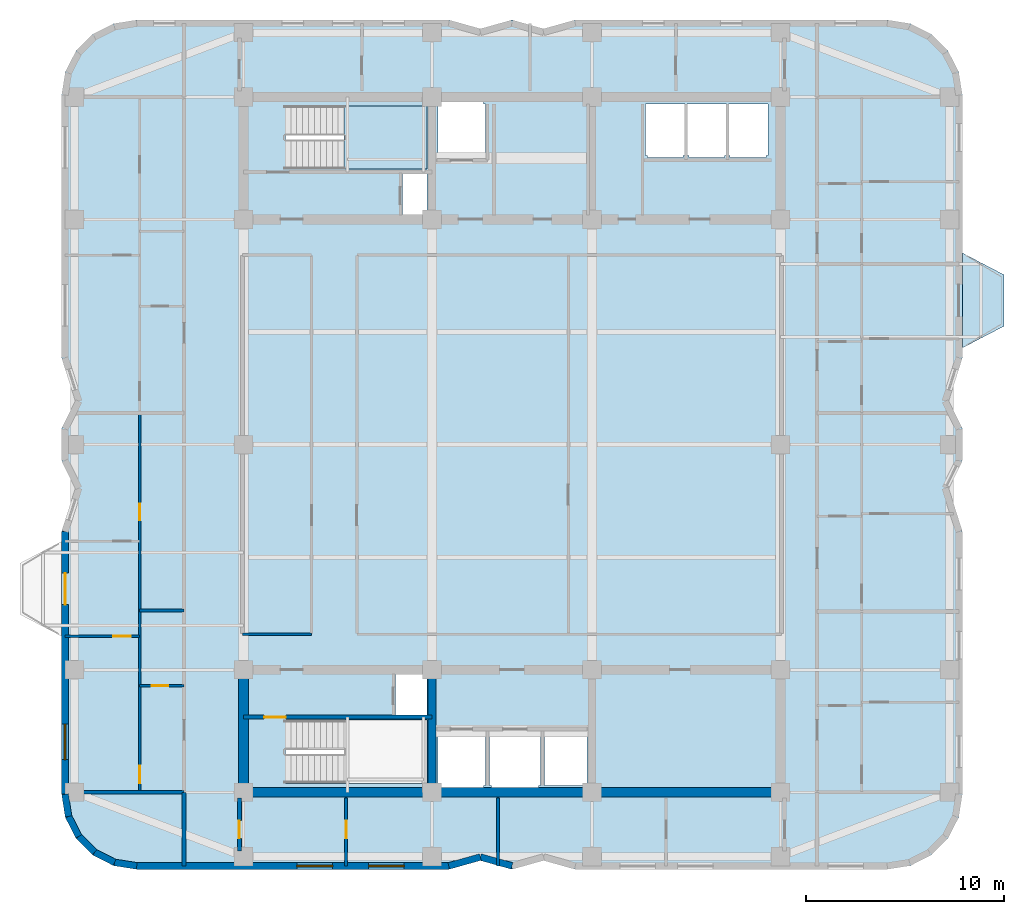
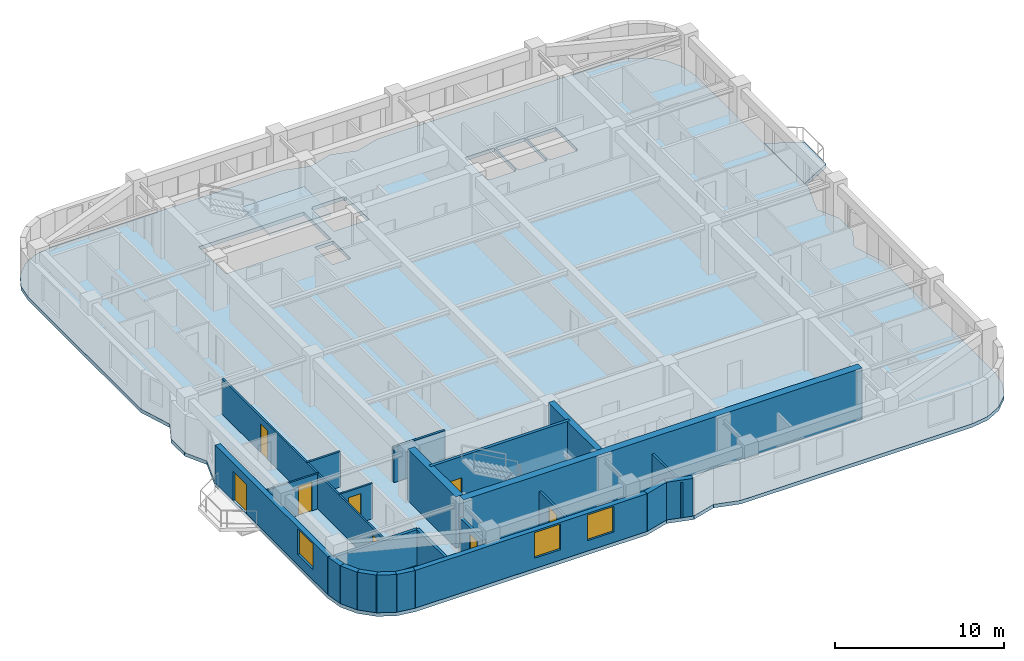
# One storey, part 2 of 9: 23 walls, 8 doors, 3 slabs, 3 windows, 11 openings, 1 element without a shape of its own.
"""IFC4 building model written with IfcOpenShell, lengths in metres."""

from ifc_helpers import new_model, si_unit, direction, frame, frame_2d, origin, place, context, subcontext, project, spatial, polyline, rectangle, outline, extrude, material, layer, layer_set, type_object, element, fill, aggregate, save


model = new_model("IFC4")

# Units and contexts
model_context = context("Model", 3, precision=1e-05, world=origin(), true_north=direction((0.0, 1.0)))
body_context = subcontext(model_context, "Body", "Model", "MODEL_VIEW")
ifc_project = project(units=[si_unit("LENGTHUNIT", "METRE"), si_unit("AREAUNIT", "SQUARE_METRE"), si_unit("VOLUMEUNIT", "CUBIC_METRE"), si_unit("PLANEANGLEUNIT", "RADIAN"), si_unit("MASSUNIT", "GRAM", prefix="KILO")], contexts=[model_context])

# Site, building, storey
site_placement = place(None, origin())
site = spatial("IfcSite", under=ifc_project, at=site_placement, CompositionType="ELEMENT")
building_placement = place(site_placement, origin())
building = spatial("IfcBuilding", under=site, at=building_placement, Name="Svetorya Sky Lyceum", CompositionType="ELEMENT")
storey_placement = place(building_placement, frame((0.0, 0.0, 181.10009765625)))
storey = spatial("IfcBuildingStorey", under=building, at=storey_placement, Name="L45", CompositionType="ELEMENT", Elevation=181.10009765625)

# Slab
ifc_material_1 = material(Name="Concrete C40/50", Category="concrete")
ifc_layer_1 = layer(ifc_material_1, 0.260009765625)
ifc_layer_set_1 = layer_set([ifc_layer_1], Name="Concrete C40/50")
slab_type_1 = type_object("IfcSlabType", Name="SL-BAL-260", PredefinedType="FLOOR", material=ifc_layer_set_1)
slab_1_placement = place(storey_placement, frame((0.0, 0.0, -0.260009765625)))
element("IfcSlab", 1, at=slab_1_placement, inside=storey, type_object=slab_type_1, Name="L45 Chamfered Loggia Balcony BAL-E1", PredefinedType="FLOOR", context=body_context, shape_type="SweptSolid", body=[
    extrude(outline(polyline([(62.010009765625, 33.10009765625), (64.110107421875, 34.199951171875), (64.110107421875, 36.800048828125), (62.010009765625, 37.89990234375), (62.010009765625, 33.10009765625)])), origin(), (0.0, 0.0, 1.0), 0.260009765625),
])

# Stair, slab
stair_type = type_object("IfcStairType", Name="STR-ST-N", PredefinedType="HALF_TURN_STAIR", material=ifc_material_1)
stair_placement = place(storey_placement, origin())
stair = element("IfcStair", 2, at=stair_placement, inside=storey, type_object=stair_type, Name="L45 North Core Smoke-Free Exit Stair N3", PredefinedType="HALF_TURN_STAIR")
ifc_layer_2 = layer(ifc_material_1, 0.199951171875)
ifc_layer_set_2 = layer_set([ifc_layer_2], Name="Concrete C40/50")
slab_type_2 = type_object("IfcSlabType", Name="SL-STR-LAND-200", PredefinedType="LANDING", material=ifc_layer_set_2)
slab_2_placement = place(storey_placement, frame((0.0, 0.0, 1.64990234375)))
slab_2 = element("IfcSlab", 3, at=slab_2_placement, type_object=slab_type_2, Name="ST-N landing 1", PredefinedType="LANDING", context=body_context, shape_type="SweptSolid", body=[
    extrude(outline(polyline([(30.699951171875, 42.14990234375), (34.89990234375, 42.14990234375), (34.89990234375, 45.35009765625), (30.699951171875, 45.35009765625), (30.699951171875, 42.14990234375)])), origin(), (0.0, 0.0, 1.0), 0.199951171875),
])
aggregate(stair, [slab_2])

# Slab
ifc_material_2 = material(Name="Concrete C50/60", Category="concrete")
ifc_layer_3 = layer(ifc_material_2, 0.260009765625)
ifc_layer_set_3 = layer_set([ifc_layer_3], Name="Concrete C50/60")
slab_type_3 = type_object("IfcSlabType", Name="SL-TWR-260", PredefinedType="FLOOR", material=ifc_layer_set_3)
slab_3_placement = place(storey_placement, frame((0.0, 0.0, -0.260009765625)))
element("IfcSlab", 4, at=slab_3_placement, inside=storey, type_object=slab_type_3, Name="L45 Structural Floor Slab", PredefinedType="FLOOR", context=body_context, shape_type="SweptSolid", body=[
    extrude(outline(polyline([(16.39990234375, 10.5), (16.5859375, 9.32568359375), (17.125732421875, 8.266357421875), (17.96630859375, 7.42578125), (19.025634765625, 6.885986328125), (20.199951171875, 6.699951171875), (36.0, 6.699951171875), (37.60009765625, 7.14990234375), (39.199951171875, 6.699951171875), (40.800048828125, 7.14990234375), (42.39990234375, 6.699951171875), (58.199951171875, 6.699951171875), (59.374267578125, 6.885986328125), (60.43359375, 7.42578125), (61.2744140625, 8.266357421875), (61.81396484375, 9.32568359375), (62.0, 10.5), (62.0, 23.800048828125), (61.300048828125, 26.0), (62.0, 27.39990234375), (62.0, 29.0), (61.300048828125, 30.39990234375), (62.0, 32.60009765625), (62.0, 45.89990234375), (61.81396484375, 47.07421875), (61.2744140625, 48.133544921875), (60.43359375, 48.974365234375), (59.374267578125, 49.513916015625), (58.199951171875, 49.699951171875), (42.39990234375, 49.699951171875), (40.800048828125, 49.25), (39.199951171875, 49.699951171875), (37.60009765625, 49.25), (36.0, 49.699951171875), (20.199951171875, 49.699951171875), (19.025634765625, 49.513916015625), (17.96630859375, 48.974365234375), (17.125732421875, 48.133544921875), (16.5859375, 47.07421875), (16.39990234375, 45.89990234375), (16.39990234375, 32.60009765625), (17.10009765625, 30.39990234375), (16.39990234375, 29.0), (16.39990234375, 27.39990234375), (17.10009765625, 26.0), (16.39990234375, 23.800048828125), (16.39990234375, 10.5)]), holes=[polyline([(37.85009765625, 10.949951171875), (37.75, 10.949951171875), (37.75, 10.85009765625), (35.550048828125, 10.85009765625), (35.550048828125, 10.949951171875), (35.449951171875, 10.949951171875), (35.449951171875, 13.64990234375), (35.550048828125, 13.64990234375), (37.75, 13.64990234375), (37.85009765625, 13.64990234375), (37.85009765625, 10.949951171875)]), polyline([(38.14990234375, 10.800048828125), (38.14990234375, 10.949951171875), (38.050048828125, 10.949951171875), (38.050048828125, 13.64990234375), (38.14990234375, 13.64990234375), (38.14990234375, 13.699951171875), (40.550048828125, 13.699951171875), (40.550048828125, 13.64990234375), (40.64990234375, 13.64990234375), (40.64990234375, 10.949951171875), (40.550048828125, 10.949951171875), (40.550048828125, 10.800048828125), (38.14990234375, 10.800048828125)]), polyline([(27.719970703125, 11.050048828125), (27.719970703125, 14.25), (34.89990234375, 14.25), (34.89990234375, 11.050048828125), (27.719970703125, 11.050048828125)]), polyline([(33.300048828125, 14.52001953125), (33.300048828125, 16.580078125), (34.89990234375, 16.580078125), (34.89990234375, 14.52001953125), (33.300048828125, 14.52001953125)]), polyline([(33.64990234375, 39.820068359375), (33.64990234375, 41.89990234375), (34.89990234375, 41.89990234375), (34.89990234375, 39.820068359375), (33.64990234375, 39.820068359375)]), polyline([(27.719970703125, 42.14990234375), (27.719970703125, 45.35009765625), (34.89990234375, 45.35009765625), (34.89990234375, 42.14990234375), (27.719970703125, 42.14990234375)]), polyline([(37.75, 42.75), (35.550048828125, 42.75), (35.449951171875, 42.75), (35.449951171875, 45.449951171875), (35.550048828125, 45.449951171875), (35.550048828125, 45.550048828125), (37.75, 45.550048828125), (37.75, 45.449951171875), (37.85009765625, 45.449951171875), (37.85009765625, 42.75), (37.75, 42.75)]), polyline([(40.85009765625, 10.949951171875), (40.85009765625, 13.64990234375), (43.0, 13.64990234375), (43.0, 10.949951171875), (40.85009765625, 10.949951171875)]), polyline([(46.050048828125, 42.75), (46.050048828125, 42.85009765625), (45.949951171875, 42.85009765625), (45.949951171875, 45.449951171875), (46.050048828125, 45.449951171875), (47.85009765625, 45.449951171875), (47.949951171875, 45.449951171875), (47.949951171875, 42.85009765625), (47.85009765625, 42.85009765625), (47.85009765625, 42.75), (46.050048828125, 42.75)]), polyline([(50.050048828125, 42.85009765625), (49.949951171875, 42.85009765625), (49.949951171875, 42.75), (48.14990234375, 42.75), (48.14990234375, 42.85009765625), (48.050048828125, 42.85009765625), (48.050048828125, 45.449951171875), (48.14990234375, 45.449951171875), (49.949951171875, 45.449951171875), (50.050048828125, 45.449951171875), (50.050048828125, 42.85009765625)]), polyline([(52.14990234375, 42.85009765625), (52.050048828125, 42.85009765625), (52.050048828125, 42.75), (50.25, 42.75), (50.25, 42.85009765625), (50.14990234375, 42.85009765625), (50.14990234375, 45.449951171875), (50.25, 45.449951171875), (52.050048828125, 45.449951171875), (52.14990234375, 45.449951171875), (52.14990234375, 42.85009765625)])]), origin(), (0.0, 0.0, 1.0), 0.260009765625),
])

# Walls
ifc_layer_4 = layer(ifc_material_1, 0.39990234375)
ifc_layer_set_4 = layer_set([ifc_layer_4], Name="Concrete C40/50")
wall_type_1 = type_object("IfcWallType", Name="WL-CORE-400", PredefinedType="SHEAR", material=ifc_layer_set_4)
wall_1_placement = place(storey_placement, frame((35.14990234375, 10.85009765625, 0.0), z_axis=(0.0, 0.0, 1.0), x_axis=(0.0, 1.0, 0.0)))
element("IfcWall", 5, at=wall_1_placement, inside=storey, type_object=wall_type_1, Name="L45 SC Internal Shear Web WEB1", PredefinedType="SHEAR", context=body_context, shape_type="SweptSolid", body=[
    extrude(rectangle(XDim=5.699951171875, YDim=0.39990234375, at=frame_2d((2.85009765625, 0.0))), origin(), (0.0, 0.0, 1.0), 3.699951171875),
])
ifc_layer_5 = layer(ifc_material_2, 0.5)
ifc_layer_set_5 = layer_set([ifc_layer_5], Name="Concrete C50/60")
wall_type_2 = type_object("IfcWallType", Name="WL-CORE-500", PredefinedType="SHEAR", material=ifc_layer_set_5)
wall_2_placement = place(storey_placement, frame((52.800048828125, 10.60009765625, 0.0), z_axis=(0.0, 0.0, 1.0), x_axis=(-1.0, 0.0, 0.0)))
element("IfcWall", 6, at=wall_2_placement, inside=storey, type_object=wall_type_2, Name="L45 SC Outer Core Shear Wall", PredefinedType="SHEAR", context=body_context, shape_type="SweptSolid", body=[
    extrude(rectangle(XDim=27.199951171875, YDim=0.5, at=frame_2d((13.60009765625, 0.0))), origin(), (0.0, 0.0, 1.0), 3.699951171875),
])
wall_3_placement = place(storey_placement, frame((25.60009765625, 10.85009765625, 0.0), z_axis=(0.0, 0.0, 1.0), x_axis=(0.0, 1.0, 0.0)))
element("IfcWall", 7, at=wall_3_placement, inside=storey, type_object=wall_type_2, Name="L45 SC West Core Shear Wall", PredefinedType="SHEAR", context=body_context, shape_type="SweptSolid", body=[
    extrude(rectangle(XDim=5.699951171875, YDim=0.5, at=frame_2d((2.85009765625, 0.0))), origin(), (0.0, 0.0, 1.0), 3.699951171875),
])
ifc_material_3 = material(Name="Putilovo limestone rainscreen on autoclaved cellular masonry", Category="masonry")
ifc_layer_6 = layer(ifc_material_3, 0.340087890625)
ifc_layer_set_6 = layer_set([ifc_layer_6], Name="Putilovo limestone rainscreen on autoclaved cellular masonry")
wall_type_3 = type_object("IfcWallType", Name="WL-EXT-340", PredefinedType="SOLIDWALL", material=ifc_layer_set_6)
wall_4_placement = place(storey_placement, frame((16.570068359375, 10.5, 0.0), z_axis=(0.0, 0.0, 1.0), x_axis=(0.156514556949, -0.987675651954, 0.0)))
element("IfcWall", 8, at=wall_4_placement, inside=storey, type_object=wall_type_3, Name="L45 Limestone Exterior Wall 1M", PredefinedType="SOLIDWALL", context=body_context, shape_type="SweptSolid", body=[
    extrude(rectangle(XDim=1.135498046875, YDim=0.340087890625, at=frame_2d((0.56787109375, 0.0))), origin(), (0.0, 0.0, 1.0), 2.719970703125),
])
for number, where, z_axis, x_axis, name in (
    (9, (16.747802734375, 9.37841796875, 0.0), (0.0, 0.0, 1.0), (0.45373580117, -0.891136253744, 0.0), "L45 Limestone Exterior Wall 2M"),
    (10, (17.26318359375, 8.3662109375, 0.0), (0.0, 0.0, 1.0), (0.707214252388, -0.706999293649, 0.0), "L45 Limestone Exterior Wall 3M"),
    (11, (18.06640625, 7.563232421875, 0.0), (0.0, 0.0, 1.0), (0.891005044957, -0.453993402883, 0.0), "L45 Limestone Exterior Wall 4M"),
):
    element("IfcWall", number, at=place(storey_placement, frame(where, z_axis=z_axis, x_axis=x_axis)), inside=storey, type_object=wall_type_3, Name=name, PredefinedType="SOLIDWALL", context=body_context, shape_type="SweptSolid", body=[
        extrude(rectangle(XDim=1.1357421875, YDim=0.340087890625, at=frame_2d((0.56787109375, 0.0))), origin(), (0.0, 0.0, 1.0), 2.719970703125),
    ])
wall_5_placement = place(storey_placement, frame((19.078369140625, 7.047607421875, 0.0), z_axis=(0.0, 0.0, 1.0), x_axis=(0.987708865555, -0.156304820474, 0.0)))
element("IfcWall", 12, at=wall_5_placement, inside=storey, type_object=wall_type_3, Name="L45 Limestone Exterior Wall 5M", PredefinedType="SOLIDWALL", context=body_context, shape_type="SweptSolid", body=[
    extrude(rectangle(XDim=1.135498046875, YDim=0.340087890625, at=frame_2d((0.56787109375, 0.0))), origin(), (0.0, 0.0, 1.0), 2.719970703125),
])

# Wall, openings, windows
wall_6_placement = place(storey_placement, frame((20.199951171875, 6.8701171875, 0.0), z_axis=(0.0, 0.0, 1.0), x_axis=(1.0, 0.0, 0.0)))
wall_6 = element("IfcWall", 13, at=wall_6_placement, inside=storey, type_object=wall_type_3, Name="L45 Limestone Exterior Wall 6M", PredefinedType="SOLIDWALL", context=body_context, shape_type="SweptSolid", body=[
    extrude(rectangle(XDim=15.800048828125, YDim=0.340087890625, at=frame_2d((7.89990234375, 0.0))), origin(), (0.0, 0.0, 1.0), 2.719970703125),
])
opening_1_placement = place(wall_6_placement, frame((8.112548828125, 0.0, 0.75)))
opening_1 = element("IfcOpeningElement", 14, at=opening_1_placement, cuts=wall_6, Name="Opening W-R1", PredefinedType="OPENING", context=body_context, shape_type="SweptSolid", body=[
    extrude(rectangle(XDim=1.800048828125, YDim=1.85009765625, at=frame_2d((0.89990234375, 0.925048828125))), frame((0.0, 0.179931640625, 0.0), z_axis=(0.0, -1.0, 0.0), x_axis=(1.0, 0.0, 0.0)), (0.0, 0.0, 1.0), 0.360107421875),
])
opening_2_placement = place(wall_6_placement, frame((11.737548828125, 0.0, 0.75)))
opening_2 = element("IfcOpeningElement", 15, at=opening_2_placement, cuts=wall_6, Name="Opening W-R1", PredefinedType="OPENING", context=body_context, shape_type="SweptSolid", body=[
    extrude(rectangle(XDim=1.800048828125, YDim=1.85009765625, at=frame_2d((0.89990234375, 0.925048828125))), frame((0.0, 0.179931640625, 0.0), z_axis=(0.0, -1.0, 0.0), x_axis=(1.0, 0.0, 0.0)), (0.0, 0.0, 1.0), 0.360107421875),
])
ifc_material_4 = material(Name="Thermally broken aluminium frame with triple low-E glazing", Category="aluminium")
window_type = type_object("IfcWindowType", Name="WN-RES-180", PartitioningType="DOUBLE_PANEL_VERTICAL", PredefinedType="WINDOW", material=ifc_material_4)
window_1_placement = place(opening_1_placement, origin())
window_1 = element("IfcWindow", 16, at=window_1_placement, inside=storey, type_object=window_type, Name="L45 Facade Window W-R1.6M.1", OverallHeight=1.85009765625, OverallWidth=1.800048828125, PartitioningType="SINGLE_PANEL", PredefinedType="WINDOW", context=body_context, shape_type="SweptSolid", body=[
    extrude(rectangle(XDim=1.800048828125, YDim=1.85009765625, at=frame_2d((0.89990234375, 0.925048828125))), frame((0.0, 0.030029296875, 0.0), z_axis=(0.0, -1.0, 0.0), x_axis=(1.0, 0.0, 0.0)), (0.0, 0.0, 1.0), 0.06005859375),
])
fill(opening_1, window_1)
window_2_placement = place(opening_2_placement, origin())
window_2 = element("IfcWindow", 17, at=window_2_placement, inside=storey, type_object=window_type, Name="L45 Facade Window W-R1.6M.2", OverallHeight=1.85009765625, OverallWidth=1.800048828125, PartitioningType="SINGLE_PANEL", PredefinedType="WINDOW", context=body_context, shape_type="SweptSolid", body=[
    extrude(rectangle(XDim=1.800048828125, YDim=1.85009765625, at=frame_2d((0.89990234375, 0.925048828125))), frame((0.0, 0.030029296875, 0.0), z_axis=(0.0, -1.0, 0.0), x_axis=(1.0, 0.0, 0.0)), (0.0, 0.0, 1.0), 0.06005859375),
])
fill(opening_2, window_2)

# Walls
wall_7_placement = place(storey_placement, frame((36.0, 6.8701171875, 0.0), z_axis=(0.0, 0.0, 1.0), x_axis=(0.962662902433, 0.270703040766, 0.0)))
element("IfcWall", 18, at=wall_7_placement, inside=storey, type_object=wall_type_3, Name="L45 Limestone Exterior Wall 7M", PredefinedType="SOLIDWALL", context=body_context, shape_type="SweptSolid", body=[
    extrude(rectangle(XDim=1.662109375, YDim=0.340087890625, at=frame_2d((0.8310546875, 0.0))), origin(), (0.0, 0.0, 1.0), 2.719970703125),
])
wall_8_placement = place(storey_placement, frame((37.60009765625, 7.320068359375, 0.0), z_axis=(0.0, 0.0, 1.0), x_axis=(0.962652136636, -0.270741322725, 0.0)))
element("IfcWall", 19, at=wall_8_placement, inside=storey, type_object=wall_type_3, Name="L45 Limestone Exterior Wall 8M", PredefinedType="SOLIDWALL", context=body_context, shape_type="SweptSolid", body=[
    extrude(rectangle(XDim=1.661865234375, YDim=0.340087890625, at=frame_2d((0.8310546875, 0.0))), origin(), (0.0, 0.0, 1.0), 2.719970703125),
])

# Wall, openings, door, window
wall_9_placement = place(storey_placement, frame((16.570068359375, 23.800048828125, 0.0), z_axis=(0.0, 0.0, 1.0), x_axis=(0.0, -1.0, 0.0)))
wall_9 = element("IfcWall", 20, at=wall_9_placement, inside=storey, type_object=wall_type_3, Name="L45 Limestone Exterior Wall 46M", PredefinedType="SOLIDWALL", context=body_context, shape_type="SweptSolid", body=[
    extrude(rectangle(XDim=13.300048828125, YDim=0.340087890625, at=frame_2d((6.64990234375, 0.0))), origin(), (0.0, 0.0, 1.0), 2.719970703125),
])
opening_3_placement = place(wall_9_placement, frame((2.10009765625, 0.0, 0.0)))
opening_3 = element("IfcOpeningElement", 21, at=opening_3_placement, cuts=wall_9, Name="Opening D-BL1", PredefinedType="OPENING", context=body_context, shape_type="SweptSolid", body=[
    extrude(rectangle(XDim=1.60009765625, YDim=2.10009765625, at=frame_2d((0.800048828125, 1.050048828125))), frame((0.0, 0.179931640625, 0.0), z_axis=(0.0, -1.0, 0.0), x_axis=(1.0, 0.0, 0.0)), (0.0, 0.0, 1.0), 0.360107421875),
])
opening_4_placement = place(wall_9_placement, frame((9.75, 0.0, 0.75)))
opening_4 = element("IfcOpeningElement", 22, at=opening_4_placement, cuts=wall_9, Name="Opening W-R1", PredefinedType="OPENING", context=body_context, shape_type="SweptSolid", body=[
    extrude(rectangle(XDim=1.800048828125, YDim=1.85009765625, at=frame_2d((0.89990234375, 0.925048828125))), frame((0.0, 0.179931640625, 0.0), z_axis=(0.0, -1.0, 0.0), x_axis=(1.0, 0.0, 0.0)), (0.0, 0.0, 1.0), 0.360107421875),
])
ifc_material_5 = material(Name="Insulated glazed aluminium balcony door", Category="aluminium")
door_type_1 = type_object("IfcDoorType", Name="DR-BAL-1600", OperationType="DOUBLE_DOOR_SINGLE_SWING", PredefinedType="DOOR", material=ifc_material_5)
door_1_placement = place(opening_3_placement, origin())
door_1 = element("IfcDoor", 23, at=door_1_placement, inside=storey, type_object=door_type_1, Name="L45 Balcony BAL-W1 Door", OperationType="DOUBLE_DOOR_SINGLE_SWING", OverallHeight=2.10009765625, OverallWidth=1.60009765625, PredefinedType="DOOR", context=body_context, shape_type="SweptSolid", body=[
    extrude(rectangle(XDim=1.60009765625, YDim=2.10009765625, at=frame_2d((0.800048828125, 1.050048828125))), frame((0.0, 0.02490234375, 0.0), z_axis=(0.0, -1.0, 0.0), x_axis=(1.0, 0.0, 0.0)), (0.0, 0.0, 1.0), 0.050048828125),
])
fill(opening_3, door_1)
window_3_placement = place(opening_4_placement, origin())
window_3 = element("IfcWindow", 24, at=window_3_placement, inside=storey, type_object=window_type, Name="L45 Facade Window W-R1.46M.1", OverallHeight=1.85009765625, OverallWidth=1.800048828125, PartitioningType="SINGLE_PANEL", PredefinedType="WINDOW", context=body_context, shape_type="SweptSolid", body=[
    extrude(rectangle(XDim=1.800048828125, YDim=1.85009765625, at=frame_2d((0.89990234375, 0.925048828125))), frame((0.0, 0.030029296875, 0.0), z_axis=(0.0, -1.0, 0.0), x_axis=(1.0, 0.0, 0.0)), (0.0, 0.0, 1.0), 0.06005859375),
])
fill(opening_4, window_3)

# Wall, opening, door
ifc_material_6 = material(Name="Twin-stud galvanized framing with double fireboard", Category="gypsum")
ifc_layer_7 = layer(ifc_material_6, 0.1201171875)
ifc_layer_set_7 = layer_set([ifc_layer_7], Name="Twin-stud galvanized framing with double fireboard")
wall_type_4 = type_object("IfcWallType", Name="WL-PART-120", PredefinedType="PARTITIONING", material=ifc_layer_set_7)
wall_10_placement = place(storey_placement, frame((20.35009765625, 16.0, 0.0), z_axis=(0.0, 0.0, 1.0), x_axis=(1.0, 0.0, 0.0)))
wall_10 = element("IfcWall", 25, at=wall_10_placement, inside=storey, type_object=wall_type_4, Name="L45 Interior Partition W1-WH1", PredefinedType="PARTITIONING", context=body_context, shape_type="SweptSolid", body=[
    extrude(rectangle(XDim=2.25, YDim=0.1201171875, at=frame_2d((1.125, 0.0))), origin(), (0.0, 0.0, 1.0), 2.5498046875),
])
opening_5_placement = place(wall_10_placement, frame((0.60009765625, 0.0, 0.0)))
opening_5 = element("IfcOpeningElement", 26, at=opening_5_placement, cuts=wall_10, Name="Opening D-BT1", PredefinedType="OPENING", context=body_context, shape_type="SweptSolid", body=[
    extrude(rectangle(XDim=0.85009765625, YDim=2.10009765625, at=frame_2d((0.425048828125, 1.050048828125))), frame((0.0, 0.070068359375, 0.0), z_axis=(0.0, -1.0, 0.0), x_axis=(1.0, 0.0, 0.0)), (0.0, 0.0, 1.0), 0.14013671875),
])
ifc_material_7 = material(Name="Moisture-resistant laminate bathroom door")
door_type_2 = type_object("IfcDoorType", Name="DR-WET-850", OperationType="SINGLE_SWING_LEFT", PredefinedType="DOOR", material=ifc_material_7)
door_2_placement = place(opening_5_placement, origin())
door_2 = element("IfcDoor", 27, at=door_2_placement, inside=storey, type_object=door_type_2, Name="Apartment W1 Bathroom Door", OperationType="SINGLE_SWING_LEFT", OverallHeight=2.10009765625, OverallWidth=0.85009765625, PredefinedType="DOOR", context=body_context, shape_type="SweptSolid", body=[
    extrude(rectangle(XDim=0.85009765625, YDim=2.10009765625, at=frame_2d((0.425048828125, 1.050048828125))), frame((0.0, 0.02490234375, 0.0), z_axis=(0.0, -1.0, 0.0), x_axis=(1.0, 0.0, 0.0)), (0.0, 0.0, 1.0), 0.050048828125),
])
fill(opening_5, door_2)

wall_11_placement = place(storey_placement, frame((16.570068359375, 18.5, 0.0), z_axis=(0.0, 0.0, 1.0), x_axis=(1.0, 0.0, 0.0)))
wall_11 = element("IfcWall", 28, at=wall_11_placement, inside=storey, type_object=wall_type_4, Name="L45 Interior Partition W1-WL1", PredefinedType="PARTITIONING", context=body_context, shape_type="SweptSolid", body=[
    extrude(rectangle(XDim=3.780029296875, YDim=0.1201171875, at=frame_2d((1.89013671875, 0.0))), origin(), (0.0, 0.0, 1.0), 2.5498046875),
])
opening_6_placement = place(wall_11_placement, frame((2.429931640625, 0.0, 0.0)))
opening_6 = element("IfcOpeningElement", 29, at=opening_6_placement, cuts=wall_11, Name="Opening D-RM1", PredefinedType="OPENING", context=body_context, shape_type="SweptSolid", body=[
    extrude(rectangle(XDim=0.89990234375, YDim=2.10009765625, at=frame_2d((0.449951171875, 1.050048828125))), frame((0.0, 0.070068359375, 0.0), z_axis=(0.0, -1.0, 0.0), x_axis=(1.0, 0.0, 0.0)), (0.0, 0.0, 1.0), 0.14013671875),
])
ifc_material_8 = material(Name="Lacquered birch veneer internal door")
door_type_3 = type_object("IfcDoorType", Name="DR-INT-900", OperationType="SINGLE_SWING_LEFT", PredefinedType="DOOR", material=ifc_material_8)
door_3_placement = place(opening_6_placement, origin())
door_3 = element("IfcDoor", 30, at=door_3_placement, inside=storey, type_object=door_type_3, Name="Apartment W1 Master Bedroom Door", OperationType="SINGLE_SWING_LEFT", OverallHeight=2.10009765625, OverallWidth=0.89990234375, PredefinedType="DOOR", context=body_context, shape_type="SweptSolid", body=[
    extrude(rectangle(XDim=0.89990234375, YDim=2.10009765625, at=frame_2d((0.449951171875, 1.050048828125))), frame((0.0, 0.02490234375, 0.0), z_axis=(0.0, -1.0, 0.0), x_axis=(1.0, 0.0, 0.0)), (0.0, 0.0, 1.0), 0.050048828125),
])
fill(opening_6, door_3)

# Wall, openings, doors
wall_12_placement = place(storey_placement, frame((20.35009765625, 10.639892578125, 0.0), z_axis=(0.0, 0.0, 1.0), x_axis=(0.0, 1.0, 0.0)))
wall_12 = element("IfcWall", 31, at=wall_12_placement, inside=storey, type_object=wall_type_4, Name="L45 Interior Partition W1-WV", PredefinedType="PARTITIONING", context=body_context, shape_type="SweptSolid", body=[
    extrude(rectangle(XDim=19.1201171875, YDim=0.1201171875, at=frame_2d((9.56005859375, 0.0))), origin(), (0.0, 0.0, 1.0), 2.5498046875),
])
opening_7_placement = place(wall_12_placement, frame((0.409912109375, 0.0, 0.0)))
opening_7 = element("IfcOpeningElement", 32, at=opening_7_placement, cuts=wall_12, Name="Opening D-RM1", PredefinedType="OPENING", context=body_context, shape_type="SweptSolid", body=[
    extrude(rectangle(XDim=0.89990234375, YDim=2.10009765625, at=frame_2d((0.449951171875, 1.050048828125))), frame((0.0, 0.070068359375, 0.0), z_axis=(0.0, -1.0, 0.0), x_axis=(1.0, 0.0, 0.0)), (0.0, 0.0, 1.0), 0.14013671875),
])
opening_8_placement = place(wall_12_placement, frame((13.735107421875, 0.0, 0.0)))
opening_8 = element("IfcOpeningElement", 33, at=opening_8_placement, cuts=wall_12, Name="Opening D-BT2", PredefinedType="OPENING", context=body_context, shape_type="SweptSolid", body=[
    extrude(rectangle(XDim=0.820068359375, YDim=2.080078125, at=frame_2d((0.41015625, 1.0400390625))), frame((0.0, 0.070068359375, 0.0), z_axis=(0.0, -1.0, 0.0), x_axis=(1.0, 0.0, 0.0)), (0.0, 0.0, 1.0), 0.14013671875),
])
door_4_placement = place(opening_7_placement, origin())
door_4 = element("IfcDoor", 34, at=door_4_placement, inside=storey, type_object=door_type_3, Name="Apartment W1 Living Door", OperationType="SINGLE_SWING_RIGHT", OverallHeight=2.10009765625, OverallWidth=0.89990234375, PredefinedType="DOOR", context=body_context, shape_type="SweptSolid", body=[
    extrude(rectangle(XDim=0.89990234375, YDim=2.10009765625, at=frame_2d((0.449951171875, 1.050048828125))), frame((0.0, 0.02490234375, 0.0), z_axis=(0.0, -1.0, 0.0), x_axis=(1.0, 0.0, 0.0)), (0.0, 0.0, 1.0), 0.050048828125),
])
fill(opening_7, door_4)
ifc_material_9 = material(Name="Compact moisture-resistant laminate closet door")
door_type_4 = type_object("IfcDoorType", Name="DR-WET-820", OperationType="SINGLE_SWING_LEFT", PredefinedType="DOOR", material=ifc_material_9)
door_5_placement = place(opening_8_placement, origin())
door_5 = element("IfcDoor", 35, at=door_5_placement, inside=storey, type_object=door_type_4, Name="Apartment W1 Study Door", OperationType="SINGLE_SWING_LEFT", OverallHeight=2.080078125, OverallWidth=0.820068359375, PredefinedType="DOOR", context=body_context, shape_type="SweptSolid", body=[
    extrude(rectangle(XDim=0.820068359375, YDim=2.080078125, at=frame_2d((0.41015625, 1.0400390625))), frame((0.0, 0.02490234375, 0.0), z_axis=(0.0, -1.0, 0.0), x_axis=(1.0, 0.0, 0.0)), (0.0, 0.0, 1.0), 0.050048828125),
])
fill(opening_8, door_5)

# Walls
ifc_material_10 = material(Name="Twin-stud galvanized framing with acoustic board", Category="gypsum")
ifc_layer_8 = layer(ifc_material_10, 0.135009765625)
ifc_layer_set_8 = layer_set([ifc_layer_8], Name="Twin-stud galvanized framing with acoustic board")
wall_type_5 = type_object("IfcWallType", Name="WL-PART-135", PredefinedType="PARTITIONING", material=ifc_layer_set_8)
wall_13_placement = place(storey_placement, frame((20.35009765625, 19.800048828125, 0.0), z_axis=(0.0, 0.0, 1.0), x_axis=(1.0, 0.0, 0.0)))
element("IfcWall", 36, at=wall_13_placement, inside=storey, type_object=wall_type_5, Name="L45 Interior Partition W1-WH2", PredefinedType="PARTITIONING", context=body_context, shape_type="SweptSolid", body=[
    extrude(rectangle(XDim=2.25, YDim=0.135009765625, at=frame_2d((1.125, 0.0))), origin(), (0.0, 0.0, 1.0), 2.5498046875),
])
ifc_material_11 = material(Name="Autoclaved cellular masonry blockwork with acoustic render", Category="masonry")
ifc_layer_9 = layer(ifc_material_11, 0.14990234375)
ifc_layer_set_9 = layer_set([ifc_layer_9], Name="Autoclaved cellular masonry blockwork with acoustic render")
wall_type_6 = type_object("IfcWallType", Name="WL-PART-150", PredefinedType="PARTITIONING", material=ifc_layer_set_9)
wall_14_placement = place(storey_placement, frame((25.550048828125, 18.60009765625, 0.0), z_axis=(0.0, 0.0, 1.0), x_axis=(1.0, 0.0, 0.0)))
element("IfcWall", 37, at=wall_14_placement, inside=storey, type_object=wall_type_6, Name="L45 Interior Partition OFF-CS-W", PredefinedType="PARTITIONING", context=body_context, shape_type="SweptSolid", body=[
    extrude(rectangle(XDim=3.5, YDim=0.14990234375, at=frame_2d((1.75, 0.0))), origin(), (0.0, 0.0, 1.0), 2.5498046875),
])

# Wall, opening, door
wall_15_placement = place(storey_placement, frame((30.800048828125, 6.8701171875, 0.0), z_axis=(0.0, 0.0, 1.0), x_axis=(0.0, 1.0, 0.0)))
wall_15 = element("IfcWall", 38, at=wall_15_placement, inside=storey, type_object=wall_type_6, Name="L45 Interior Partition S4-D1", PredefinedType="PARTITIONING", context=body_context, shape_type="SweptSolid", body=[
    extrude(rectangle(XDim=3.429931640625, YDim=0.14990234375, at=frame_2d((1.71484375, 0.0))), origin(), (0.0, 0.0, 1.0), 2.5498046875),
])
opening_9_placement = place(wall_15_placement, frame((1.39990234375, 0.0, 0.0)))
opening_9 = element("IfcOpeningElement", 39, at=opening_9_placement, cuts=wall_15, Name="Opening D-RM1", PredefinedType="OPENING", context=body_context, shape_type="SweptSolid", body=[
    extrude(rectangle(XDim=0.89990234375, YDim=2.10009765625, at=frame_2d((0.449951171875, 1.050048828125))), frame((0.0, 0.0849609375, 0.0), z_axis=(0.0, -1.0, 0.0), x_axis=(1.0, 0.0, 0.0)), (0.0, 0.0, 1.0), 0.169921875),
])
door_6_placement = place(opening_9_placement, origin())
door_6 = element("IfcDoor", 40, at=door_6_placement, inside=storey, type_object=door_type_3, Name="L45 South Suite Door 1", OperationType="SINGLE_SWING_LEFT", OverallHeight=2.10009765625, OverallWidth=0.89990234375, PredefinedType="DOOR", context=body_context, shape_type="SweptSolid", body=[
    extrude(rectangle(XDim=0.89990234375, YDim=2.10009765625, at=frame_2d((0.449951171875, 1.050048828125))), frame((0.0, 0.02490234375, 0.0), z_axis=(0.0, -1.0, 0.0), x_axis=(1.0, 0.0, 0.0)), (0.0, 0.0, 1.0), 0.050048828125),
])
fill(opening_9, door_6)

# Walls
wall_16_placement = place(storey_placement, frame((38.5, 6.8701171875, 0.0), z_axis=(0.0, 0.0, 1.0), x_axis=(0.0, 1.0, 0.0)))
element("IfcWall", 41, at=wall_16_placement, inside=storey, type_object=wall_type_6, Name="L45 Interior Partition S4-D2", PredefinedType="PARTITIONING", context=body_context, shape_type="SweptSolid", body=[
    extrude(rectangle(XDim=3.429931640625, YDim=0.14990234375, at=frame_2d((1.71484375, 0.0))), origin(), (0.0, 0.0, 1.0), 2.5498046875),
])
ifc_material_12 = material(Name="Autoclaved cellular masonry blockwork with gypsum plaster", Category="masonry")
ifc_layer_10 = layer(ifc_material_12, 0.199951171875)
ifc_layer_set_10 = layer_set([ifc_layer_10], Name="Autoclaved cellular masonry blockwork with gypsum plaster")
wall_type_7 = type_object("IfcWallType", Name="WL-PART-200", PredefinedType="PARTITIONING", material=ifc_layer_set_10)
wall_17_placement = place(storey_placement, frame((16.989990234375, 10.60009765625, 0.0), z_axis=(0.0, 0.0, 1.0), x_axis=(1.0, 0.0, 0.0)))
element("IfcWall", 42, at=wall_17_placement, inside=storey, type_object=wall_type_7, Name="L45 Interior Partition W-CAP-S", PredefinedType="PARTITIONING", context=body_context, shape_type="SweptSolid", body=[
    extrude(rectangle(XDim=5.610107421875, YDim=0.199951171875, at=frame_2d((2.80517578125, 0.0))), origin(), (0.0, 0.0, 1.0), 2.5498046875),
])
wall_18_placement = place(storey_placement, frame((22.60009765625, 6.8701171875, 0.0), z_axis=(0.0, 0.0, 1.0), x_axis=(0.0, 1.0, 0.0)))
element("IfcWall", 43, at=wall_18_placement, inside=storey, type_object=wall_type_7, Name="L45 Interior Partition WC-SW-END", PredefinedType="PARTITIONING", context=body_context, shape_type="SweptSolid", body=[
    extrude(rectangle(XDim=3.72998046875, YDim=0.199951171875, at=frame_2d((1.864990234375, 0.0))), origin(), (0.0, 0.0, 1.0), 2.5498046875),
])

# Wall, opening, door
wall_19_placement = place(storey_placement, frame((25.39990234375, 7.6201171875, 0.0), z_axis=(0.0, 0.0, 1.0), x_axis=(0.0, 1.0, 0.0)))
wall_19 = element("IfcWall", 44, at=wall_19_placement, inside=storey, type_object=wall_type_7, Name="L45 Interior Partition S4-EW", PredefinedType="PARTITIONING", context=body_context, shape_type="SweptSolid", body=[
    extrude(rectangle(XDim=2.679931640625, YDim=0.199951171875, at=frame_2d((1.33984375, 0.0))), origin(), (0.0, 0.0, 1.0), 2.5498046875),
])
opening_10_placement = place(wall_19_placement, frame((0.64990234375, 0.0, 0.0)))
opening_10 = element("IfcOpeningElement", 45, at=opening_10_placement, cuts=wall_19, Name="Opening D-RM1", PredefinedType="OPENING", context=body_context, shape_type="SweptSolid", body=[
    extrude(rectangle(XDim=0.89990234375, YDim=2.10009765625, at=frame_2d((0.449951171875, 1.050048828125))), frame((0.0, 0.10986328125, 0.0), z_axis=(0.0, -1.0, 0.0), x_axis=(1.0, 0.0, 0.0)), (0.0, 0.0, 1.0), 0.219970703125),
])
door_7_placement = place(opening_10_placement, origin())
door_7 = element("IfcDoor", 46, at=door_7_placement, inside=storey, type_object=door_type_3, Name="L45 SW Office Door", OperationType="SINGLE_SWING_LEFT", OverallHeight=2.10009765625, OverallWidth=0.89990234375, PredefinedType="DOOR", context=body_context, shape_type="SweptSolid", body=[
    extrude(rectangle(XDim=0.89990234375, YDim=2.10009765625, at=frame_2d((0.449951171875, 1.050048828125))), frame((0.0, 0.02490234375, 0.0), z_axis=(0.0, -1.0, 0.0), x_axis=(1.0, 0.0, 0.0)), (0.0, 0.0, 1.0), 0.050048828125),
])
fill(opening_10, door_7)

ifc_layer_11 = layer(ifc_material_2, 0.199951171875)
ifc_layer_set_11 = layer_set([ifc_layer_11], Name="Concrete C50/60")
wall_type_8 = type_object("IfcWallType", Name="WL-SHW-200", PredefinedType="SHEAR", material=ifc_layer_set_11)
wall_20_placement = place(storey_placement, frame((25.60009765625, 14.39990234375, 0.0), z_axis=(0.0, 0.0, 1.0), x_axis=(1.0, 0.0, 0.0)))
wall_20 = element("IfcWall", 47, at=wall_20_placement, inside=storey, type_object=wall_type_8, Name="L45 Structural Stair Shaft Wall SC-STW", PredefinedType="SHEAR", context=body_context, shape_type="SweptSolid", body=[
    extrude(rectangle(XDim=9.5498046875, YDim=0.199951171875, at=frame_2d((4.77490234375, 0.0))), origin(), (0.0, 0.0, 1.0), 3.699951171875),
])
opening_11_placement = place(wall_20_placement, frame((1.050048828125, 0.0, 0.0)))
opening_11 = element("IfcOpeningElement", 48, at=opening_11_placement, cuts=wall_20, Name="Opening D-ST1", PredefinedType="OPENING", context=body_context, shape_type="SweptSolid", body=[
    extrude(rectangle(XDim=1.10009765625, YDim=2.14990234375, at=frame_2d((0.550048828125, 1.074951171875))), frame((0.0, 0.10986328125, 0.0), z_axis=(0.0, -1.0, 0.0), x_axis=(1.0, 0.0, 0.0)), (0.0, 0.0, 1.0), 0.219970703125),
])
ifc_material_13 = material(Name="Powder-coated insulated galvanized stair fire door")
door_type_5 = type_object("IfcDoorType", Name="DR-FIRE-1100", OperationType="SINGLE_SWING_LEFT", PredefinedType="DOOR", material=ifc_material_13)
door_8_placement = place(opening_11_placement, origin())
door_8 = element("IfcDoor", 49, at=door_8_placement, inside=storey, type_object=door_type_5, Name="L45 Stair ST-S Vestibule Fire Door", OperationType="SINGLE_SWING_LEFT", OverallHeight=2.14990234375, OverallWidth=1.10009765625, PredefinedType="DOOR", context=body_context, shape_type="SweptSolid", body=[
    extrude(rectangle(XDim=1.10009765625, YDim=2.14990234375, at=frame_2d((0.550048828125, 1.074951171875))), frame((0.0, 0.02490234375, 0.0), z_axis=(0.0, -1.0, 0.0), x_axis=(1.0, 0.0, 0.0)), (0.0, 0.0, 1.0), 0.050048828125),
])
fill(opening_11, door_8)

save(model, "model.ifc")
